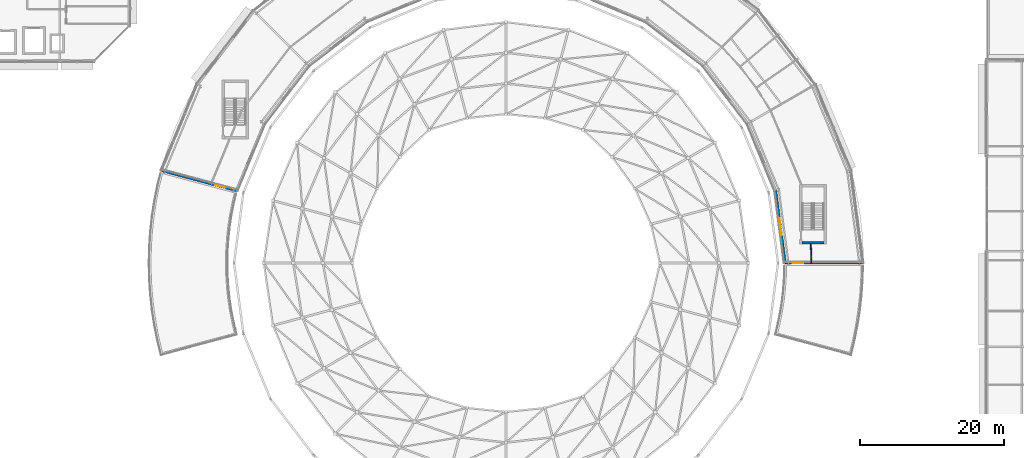
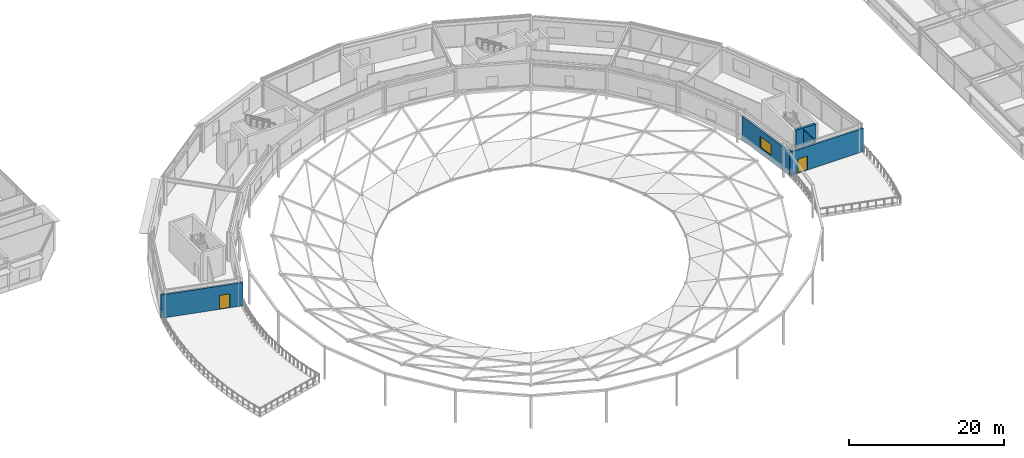
# One storey, part 60 of 89: 5 walls, 2 doors, 1 window, 3 openings.
"""IFC4 building model written with IfcOpenShell, lengths in metres."""

from ifc_helpers import new_model, si_unit, direction, frame, frame_2d, origin, place, context, subcontext, project, spatial, rectangle, extrude, material, layer, layer_set, type_object, element, fill, save


model = new_model("IFC4")

# Units and contexts
model_context = context("Model", 3, precision=1e-05, world=origin(), true_north=direction((0.0, 1.0)))
body_context = subcontext(model_context, "Body", "Model", "MODEL_VIEW")
ifc_project = project(units=[si_unit("LENGTHUNIT", "METRE"), si_unit("AREAUNIT", "SQUARE_METRE"), si_unit("VOLUMEUNIT", "CUBIC_METRE"), si_unit("PLANEANGLEUNIT", "RADIAN"), si_unit("MASSUNIT", "GRAM", prefix="KILO")], contexts=[model_context])

# Site, building, storey
site_placement = place(None, origin())
site = spatial("IfcSite", under=ifc_project, at=site_placement, CompositionType="ELEMENT")
building_placement = place(site_placement, origin())
building = spatial("IfcBuilding", under=site, at=building_placement, Name="Almandine Court Research Institute", CompositionType="ELEMENT")
storey_placement = place(building_placement, frame((0.0, 0.0, 18.89990234375)))
storey = spatial("IfcBuildingStorey", under=building, at=storey_placement, Name="L04", CompositionType="ELEMENT", Elevation=18.89990234375)

# Wall, opening, window
ifc_material_1 = material(Name="Insulated Ochre Terracotta Rainscreen Wall", Category="masonry")
ifc_layer_1 = layer(ifc_material_1, 0.2900390625)
ifc_layer_set_1 = layer_set([ifc_layer_1], Name="Insulated Ochre Terracotta Rainscreen Wall")
wall_type_1 = type_object("IfcWallType", Name="Wall-EXT-TERR-290", PredefinedType="SOLIDWALL", material=ifc_layer_set_1)
wall_1_placement = place(storey_placement, frame((125.658935546875, 56.006103515625, 0.0), z_axis=(0.0, 0.0, 1.0), x_axis=(-0.130450126879, 0.991454872597, 0.0)))
wall_1 = element("IfcWall", 1, at=wall_1_placement, inside=storey, type_object=wall_type_1, Name="L04 Drum Inner Gallery Wall 00", PredefinedType="SOLIDWALL", context=body_context, shape_type="SweptSolid", body=[
    extrude(rectangle(XDim=10.080078125, YDim=0.2900390625, at=frame_2d((5.0400390625, 0.0))), origin(), (0.0, 0.0, 1.0), 3.754150390625),
])
opening_1_placement = place(wall_1_placement, frame((3.85498046875, 0.0, 0.949951171875)))
opening_1 = element("IfcOpeningElement", 2, at=opening_1_placement, cuts=wall_1, Name="Opening WN-124", PredefinedType="OPENING", context=body_context, shape_type="SweptSolid", body=[
    extrude(rectangle(XDim=2.3701171875, YDim=1.75, at=frame_2d((1.18505859375, 0.875))), frame((0.0, 0.155029296875, 0.0), z_axis=(0.0, -1.0, 0.0), x_axis=(1.0, 0.0, 0.0)), (0.0, 0.0, 1.0), 0.31005859375),
])
ifc_material_2 = material(Name="Thermally Broken Low-E Double-Glazed Window", Category="glass")
window_type = type_object("IfcWindowType", Name="Win-WN-124-2370x1750", PartitioningType="SINGLE_PANEL", PredefinedType="WINDOW", material=ifc_material_2)
window_placement = place(opening_1_placement, origin())
window = element("IfcWindow", 3, at=window_placement, inside=storey, type_object=window_type, Name="L04 Modular Recessed Low-E Window 290", OverallHeight=1.75, OverallWidth=2.3701171875, PartitioningType="SINGLE_PANEL", PredefinedType="WINDOW", context=body_context, shape_type="SweptSolid", body=[
    extrude(rectangle(XDim=2.3701171875, YDim=1.75, at=frame_2d((1.18505859375, 0.875))), frame((0.0, 0.030029296875, 0.0), z_axis=(0.0, -1.0, 0.0), x_axis=(1.0, 0.0, 0.0)), (0.0, 0.0, 1.0), 0.06005859375),
])
fill(opening_1, window)

# Wall, opening, door
wall_2_placement = place(storey_placement, frame((125.52392578125, 56.0, 0.0), z_axis=(0.0, 0.0, 1.0), x_axis=(1.0, 0.0, 0.0)))
wall_2 = element("IfcWall", 4, at=wall_2_placement, inside=storey, type_object=wall_type_1, Name="L04 Drum Radial End Wall START", PredefinedType="SOLIDWALL", context=body_context, shape_type="SweptSolid", body=[
    extrude(rectangle(XDim=10.9521484375, YDim=0.2900390625, at=frame_2d((5.47607421875, 0.0))), origin(), (0.0, 0.0, 1.0), 3.672119140625),
])
opening_2_placement = place(wall_2_placement, frame((1.199951171875, 0.0, 0.0)))
opening_2 = element("IfcOpeningElement", 5, at=opening_2_placement, cuts=wall_2, Name="Opening TD-01", PredefinedType="OPENING", context=body_context, shape_type="SweptSolid", body=[
    extrude(rectangle(XDim=1.39990234375, YDim=2.199951171875, at=frame_2d((0.699951171875, 1.10009765625))), frame((0.0, 0.155029296875, 0.0), z_axis=(0.0, -1.0, 0.0), x_axis=(1.0, 0.0, 0.0)), (0.0, 0.0, 1.0), 0.31005859375),
])
ifc_material_3 = material(Name="Thermally Broken Glazed Terrace Door")
door_type = type_object("IfcDoorType", Name="Door-TER-1400", OperationType="DOUBLE_DOOR_SINGLE_SWING", PredefinedType="DOOR", material=ifc_material_3)
door_1_placement = place(opening_2_placement, origin())
door_1 = element("IfcDoor", 6, at=door_1_placement, inside=storey, type_object=door_type, Name="L04 Drum START Stepped Ring Terrace Door", OperationType="DOUBLE_DOOR_SINGLE_SWING", OverallHeight=2.199951171875, OverallWidth=1.39990234375, PredefinedType="DOOR", context=body_context, shape_type="SweptSolid", body=[
    extrude(rectangle(XDim=1.39990234375, YDim=2.199951171875, at=frame_2d((0.699951171875, 1.10009765625))), frame((0.0, 0.02490234375, 0.0), z_axis=(0.0, -1.0, 0.0), x_axis=(1.0, 0.0, 0.0)), (0.0, 0.0, 1.0), 0.050048828125),
])
fill(opening_2, door_1)

wall_3_placement = place(storey_placement, frame((39.2099609375, 68.804931640625, 0.0), z_axis=(0.0, 0.0, 1.0), x_axis=(0.965941286082, -0.258761341476, 0.0)))
wall_3 = element("IfcWall", 7, at=wall_3_placement, inside=storey, type_object=wall_type_1, Name="L04 Drum Radial End Wall END", PredefinedType="SOLIDWALL", context=body_context, shape_type="SweptSolid", body=[
    extrude(rectangle(XDim=10.9521484375, YDim=0.2900390625, at=frame_2d((5.47607421875, 0.0))), origin(), (0.0, 0.0, 1.0), 3.672119140625),
])
opening_3_placement = place(wall_3_placement, frame((7.800048828125, 0.0, 0.0)))
opening_3 = element("IfcOpeningElement", 8, at=opening_3_placement, cuts=wall_3, Name="Opening TD-01", PredefinedType="OPENING", context=body_context, shape_type="SweptSolid", body=[
    extrude(rectangle(XDim=1.39990234375, YDim=2.199951171875, at=frame_2d((0.699951171875, 1.10009765625))), frame((0.0, 0.155029296875, 0.0), z_axis=(0.0, -1.0, 0.0), x_axis=(1.0, 0.0, 0.0)), (0.0, 0.0, 1.0), 0.31005859375),
])
door_2_placement = place(opening_3_placement, origin())
door_2 = element("IfcDoor", 9, at=door_2_placement, inside=storey, type_object=door_type, Name="L04 Drum END Stepped Ring Terrace Door", OperationType="DOUBLE_DOOR_SINGLE_SWING", OverallHeight=2.199951171875, OverallWidth=1.39990234375, PredefinedType="DOOR", context=body_context, shape_type="SweptSolid", body=[
    extrude(rectangle(XDim=1.39990234375, YDim=2.199951171875, at=frame_2d((0.699951171875, 1.10009765625))), frame((0.0, 0.02490234375, 0.0), z_axis=(0.0, -1.0, 0.0), x_axis=(1.0, 0.0, 0.0)), (0.0, 0.0, 1.0), 0.050048828125),
])
fill(opening_3, door_2)

# Walls
ifc_material_4 = material(Name="Acoustic Steel-Stud Gypsum Partition Wall", Category="steel")
ifc_layer_2 = layer(ifc_material_4, 0.14990234375)
ifc_layer_set_2 = layer_set([ifc_layer_2], Name="Acoustic Steel-Stud Gypsum Partition Wall")
wall_type_2 = type_object("IfcWallType", Name="Wall-PART-150", PredefinedType="PARTITIONING", material=ifc_layer_set_2)
wall_4_placement = place(storey_placement, frame((129.280029296875, 56.0, 0.0), z_axis=(0.0, 0.0, 1.0), x_axis=(-0.031249099163, 0.999511627647, 0.0)))
element("IfcWall", 10, at=wall_4_placement, inside=storey, type_object=wall_type_2, Name="L04 Interior Partition W-V5-L04-CHD-00", PredefinedType="PARTITIONING", context=body_context, shape_type="SweptSolid", body=[
    extrude(rectangle(XDim=2.65625, YDim=0.14990234375, at=frame_2d((1.328125, 0.0))), origin(), (0.0, 0.0, 1.0), 4.300048828125),
])
ifc_material_5 = material(Name="Concrete C40/50", Category="concrete")
ifc_layer_3 = layer(ifc_material_5, 0.35009765625)
ifc_layer_set_3 = layer_set([ifc_layer_3], Name="Concrete C40/50")
wall_type_3 = type_object("IfcWallType", Name="Wall-SW-CORE-350", PredefinedType="SHEAR", material=ifc_layer_set_3)
wall_5_placement = place(storey_placement, frame((131.0, 58.824951171875, 0.0), z_axis=(0.0, 0.0, 1.0), x_axis=(-1.0, 0.0, 0.0)))
element("IfcWall", 11, at=wall_5_placement, inside=storey, type_object=wall_type_3, Name="L04 ST-14 S Shear Wall", PredefinedType="SHEAR", context=body_context, shape_type="SweptSolid", body=[
    extrude(rectangle(XDim=3.0, YDim=0.35009765625, at=frame_2d((1.5, 0.0))), origin(), (0.0, 0.0, 1.0), 4.550048828125),
])

save(model, "model.ifc")
